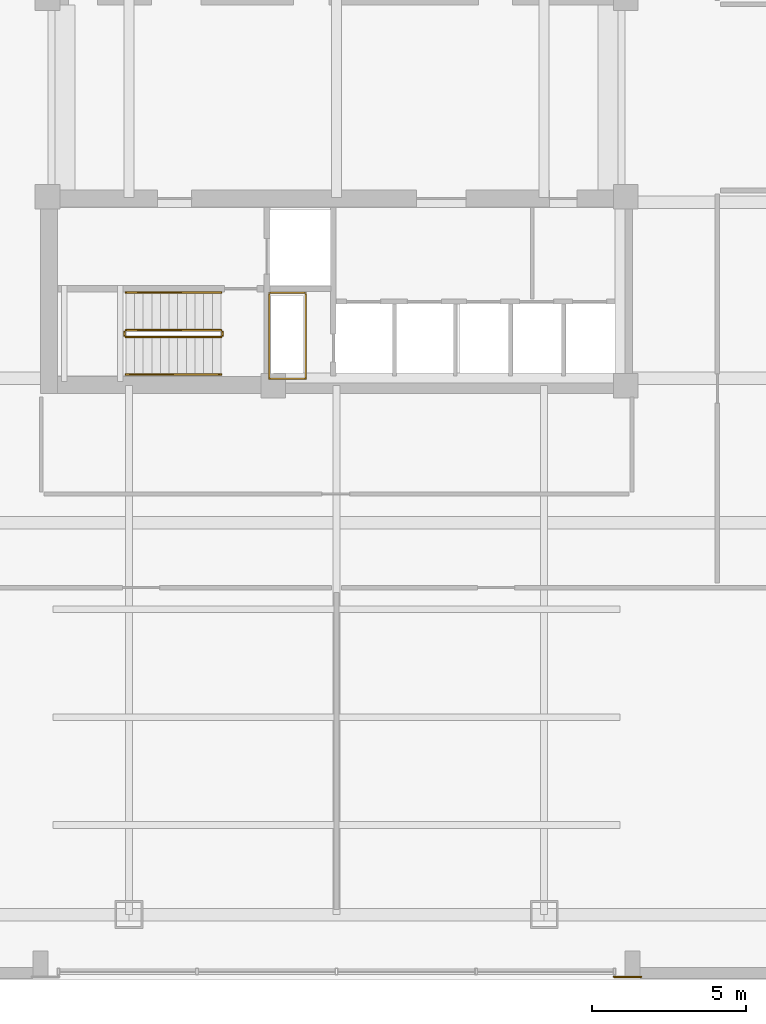
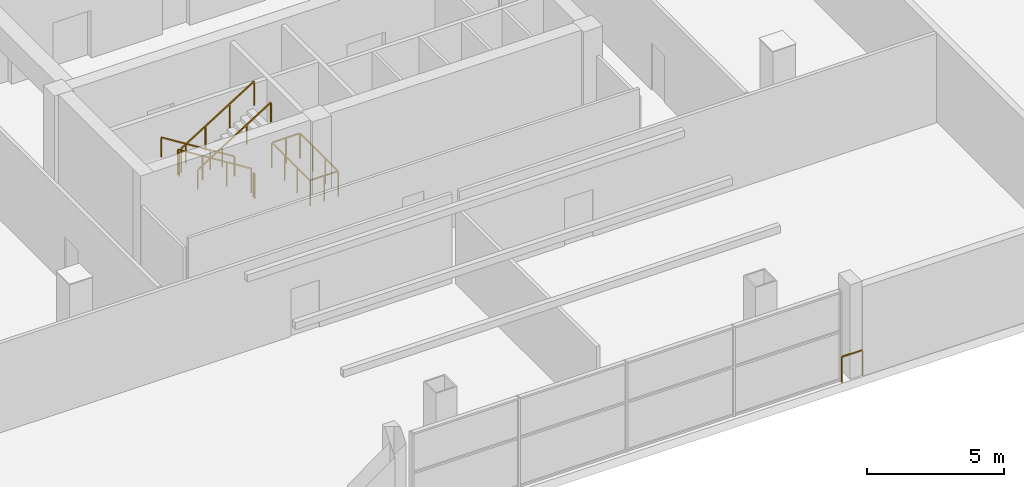
# One storey, part 18 of 21: 8 railings.
"""IFC4 building model written with IfcOpenShell, lengths in metres."""

from ifc_helpers import new_model, si_unit, direction, frame, origin, origin_2d, place, context, subcontext, project, spatial, rectangle, extrude, material, type_object, element, save


model = new_model("IFC4")

# Units and contexts
model_context = context("Model", 3, precision=1e-05, world=origin(), true_north=direction((0.0, 1.0)))
body_context = subcontext(model_context, "Body", "Model", "MODEL_VIEW")
ifc_project = project(units=[si_unit("LENGTHUNIT", "METRE"), si_unit("AREAUNIT", "SQUARE_METRE"), si_unit("VOLUMEUNIT", "CUBIC_METRE"), si_unit("PLANEANGLEUNIT", "RADIAN"), si_unit("MASSUNIT", "GRAM", prefix="KILO")], contexts=[model_context])

# Site, building, storey
site_placement = place(None, origin())
site = spatial("IfcSite", under=ifc_project, at=site_placement, CompositionType="ELEMENT")
building_placement = place(site_placement, origin())
building = spatial("IfcBuilding", under=site, at=building_placement, Name="Qhalaya Broadcast Tower", CompositionType="ELEMENT")
storey_placement = place(building_placement, frame((0.0, 0.0, 21.89990234375)))
storey = spatial("IfcBuildingStorey", under=building, at=storey_placement, Name="L05", CompositionType="ELEMENT", Elevation=21.89990234375)

# Railings
ifc_material = material(Name="Powder-Coated Galvanised Steel", Category="steel")
railing_type_1 = type_object("IfcRailingType", Name="Stair Wall Handrail 900", PredefinedType="HANDRAIL", material=ifc_material)
railing_1_placement = place(storey_placement, frame((-3.75, -5.72998046875, 0.175048828125)))
element("IfcRailing", 1, at=railing_1_placement, inside=storey, type_object=railing_type_1, Name="L05 ST-2 Stair Handrail 1", PredefinedType="HANDRAIL", context=body_context, shape_type="SweptSolid", body=[
    extrude(rectangle(XDim=0.048095703125, YDim=0.048095703125, at=origin_2d()), frame((0.0, 0.0, 0.8759765625), z_axis=(-0.847998304005, 0.0, 0.529998940003), x_axis=(0.0, -1.0, 0.0)), (0.0, 0.0, 1.0), 3.632080078125),
    extrude(rectangle(XDim=0.0419921875, YDim=0.0419921875, at=origin_2d()), origin(), (0.0, 0.0, 1.0), 0.849853515625),
    extrude(rectangle(XDim=0.0419921875, YDim=0.0419921875, at=origin_2d()), frame((-1.026611328125, 0.0, 0.6416015625)), (0.0, 0.0, 1.0), 0.849853515625),
    extrude(rectangle(XDim=0.0419921875, YDim=0.0419921875, at=origin_2d()), frame((-2.053466796875, 0.0, 1.283447265625)), (0.0, 0.0, 1.0), 0.849853515625),
    extrude(rectangle(XDim=0.0419921875, YDim=0.0419921875, at=origin_2d()), frame((-3.080078125, 0.0, 1.925048828125)), (0.0, 0.0, 1.0), 0.849853515625),
])
railing_2_placement = place(storey_placement, frame((-6.830078125, -8.389892578125, 2.275146484375)))
element("IfcRailing", 2, at=railing_2_placement, inside=storey, type_object=railing_type_1, Name="L05 ST-2 Stair Handrail 2", PredefinedType="HANDRAIL", context=body_context, shape_type="SweptSolid", body=[
    extrude(rectangle(XDim=0.048095703125, YDim=0.048095703125, at=origin_2d()), frame((0.0, 0.0, 0.8759765625), z_axis=(0.847998304005, 0.0, 0.529998940003), x_axis=(0.0, 1.0, 0.0)), (0.0, 0.0, 1.0), 3.632080078125),
    extrude(rectangle(XDim=0.0419921875, YDim=0.0419921875, at=origin_2d()), origin(), (0.0, 0.0, 1.0), 0.849853515625),
    extrude(rectangle(XDim=0.0419921875, YDim=0.0419921875, at=origin_2d()), frame((1.026611328125, 0.0, 0.6416015625)), (0.0, 0.0, 1.0), 0.849853515625),
    extrude(rectangle(XDim=0.0419921875, YDim=0.0419921875, at=origin_2d()), frame((2.053466796875, 0.0, 1.283447265625)), (0.0, 0.0, 1.0), 0.849853515625),
    extrude(rectangle(XDim=0.0419921875, YDim=0.0419921875, at=origin_2d()), frame((3.080078125, 0.0, 1.925048828125)), (0.0, 0.0, 1.0), 0.849853515625),
])
railing_type_2 = type_object("IfcRailingType", Name="Stair Well & Landing Guardrail 1100", PredefinedType="GUARDRAIL", material=ifc_material)
railing_3_placement = place(storey_placement, frame((-1.0, -8.52001953125, 0.0)))
element("IfcRailing", 3, at=railing_3_placement, inside=storey, type_object=railing_type_2, Name="L05 Service Riser Opening Safety Guard SRSR", PredefinedType="GUARDRAIL", context=body_context, shape_type="SweptSolid", body=[
    extrude(rectangle(XDim=0.048095703125, YDim=0.048095703125, at=origin_2d()), frame((0.0, 0.02880859375, 1.1259765625), z_axis=(0.0, 1.0, 0.0), x_axis=(-1.0, 0.0, 0.0)), (0.0, 0.0, 1.0), 2.722412109375),
    extrude(rectangle(XDim=0.048095703125, YDim=0.048095703125, at=origin_2d()), frame((-0.02880859375, 2.780029296875, 1.1259765625), z_axis=(-1.0, 0.0, 0.0), x_axis=(0.0, -1.0, 0.0)), (0.0, 0.0, 1.0), 1.122314453125),
    extrude(rectangle(XDim=0.048095703125, YDim=0.048095703125, at=origin_2d()), frame((-1.179931640625, 2.751220703125, 1.1259765625), z_axis=(0.0, -1.0, 0.0), x_axis=(1.0, 0.0, 0.0)), (0.0, 0.0, 1.0), 2.722412109375),
    extrude(rectangle(XDim=0.048095703125, YDim=0.048095703125, at=origin_2d()), frame((-1.151123046875, 0.0, 1.1259765625), z_axis=(1.0, 0.0, 0.0), x_axis=(0.0, 1.0, 0.0)), (0.0, 0.0, 1.0), 1.122314453125),
    extrude(rectangle(XDim=0.0419921875, YDim=0.0419921875, at=origin_2d()), origin(), (0.0, 0.0, 1.0), 1.099853515625),
    extrude(rectangle(XDim=0.0419921875, YDim=0.0419921875, at=origin_2d()), frame((0.0, 0.9267578125, 0.0)), (0.0, 0.0, 1.0), 1.099853515625),
    extrude(rectangle(XDim=0.0419921875, YDim=0.0419921875, at=origin_2d()), frame((0.0, 1.853271484375, 0.0)), (0.0, 0.0, 1.0), 1.099853515625),
    extrude(rectangle(XDim=0.0419921875, YDim=0.0419921875, at=origin_2d()), frame((0.0, 2.780029296875, 0.0)), (0.0, 0.0, 1.0), 1.099853515625),
    extrude(rectangle(XDim=0.0419921875, YDim=0.0419921875, at=origin_2d()), frame((-0.58984375, 2.780029296875, 0.0)), (0.0, 0.0, 1.0), 1.099853515625),
    extrude(rectangle(XDim=0.0419921875, YDim=0.0419921875, at=origin_2d()), frame((-1.179931640625, 2.780029296875, 0.0)), (0.0, 0.0, 1.0), 1.099853515625),
    extrude(rectangle(XDim=0.0419921875, YDim=0.0419921875, at=origin_2d()), frame((-1.179931640625, 1.853271484375, 0.0)), (0.0, 0.0, 1.0), 1.099853515625),
    extrude(rectangle(XDim=0.0419921875, YDim=0.0419921875, at=origin_2d()), frame((-1.179931640625, 0.9267578125, 0.0)), (0.0, 0.0, 1.0), 1.099853515625),
    extrude(rectangle(XDim=0.0419921875, YDim=0.0419921875, at=origin_2d()), frame((-1.179931640625, 0.0, 0.0)), (0.0, 0.0, 1.0), 1.099853515625),
    extrude(rectangle(XDim=0.0419921875, YDim=0.0419921875, at=origin_2d()), frame((-0.58984375, 0.0, 0.0)), (0.0, 0.0, 1.0), 1.099853515625),
])
railing_4_placement = place(storey_placement, frame((-3.75, -6.949951171875, 0.175048828125)))
element("IfcRailing", 4, at=railing_4_placement, inside=storey, type_object=railing_type_2, Name="L05 ST-2 Stair Guard 1", PredefinedType="GUARDRAIL", context=body_context, shape_type="SweptSolid", body=[
    extrude(rectangle(XDim=0.048095703125, YDim=0.048095703125, at=origin_2d()), frame((0.0, 0.0, 1.076171875), z_axis=(-0.847998304005, 0.0, 0.529998940003), x_axis=(0.0, -1.0, 0.0)), (0.0, 0.0, 1.0), 3.632080078125),
    extrude(rectangle(XDim=0.0419921875, YDim=0.0419921875, at=origin_2d()), origin(), (0.0, 0.0, 1.0), 1.050048828125),
    extrude(rectangle(XDim=0.0419921875, YDim=0.0419921875, at=origin_2d()), frame((-1.026611328125, 0.0, 0.6416015625)), (0.0, 0.0, 1.0), 1.050048828125),
    extrude(rectangle(XDim=0.0419921875, YDim=0.0419921875, at=origin_2d()), frame((-2.053466796875, 0.0, 1.283447265625)), (0.0, 0.0, 1.0), 1.050048828125),
    extrude(rectangle(XDim=0.0419921875, YDim=0.0419921875, at=origin_2d()), frame((-3.080078125, 0.0, 1.925048828125)), (0.0, 0.0, 1.0), 1.050048828125),
])
railing_5_placement = place(storey_placement, frame((-6.8798828125, -7.0, 2.10009765625)))
element("IfcRailing", 5, at=railing_5_placement, inside=storey, type_object=railing_type_2, Name="L05 ST-2 Stair Guard 2", PredefinedType="GUARDRAIL", context=body_context, shape_type="SweptSolid", body=[
    extrude(rectangle(XDim=0.048095703125, YDim=0.048095703125, at=origin_2d()), frame((0.0, 0.0, 1.076171875), z_axis=(0.0, -1.0, 0.0), x_axis=(1.0, 0.0, 0.0)), (0.0, 0.0, 1.0), 0.1201171875),
    extrude(rectangle(XDim=0.0419921875, YDim=0.0419921875, at=origin_2d()), origin(), (0.0, 0.0, 1.0), 1.050048828125),
    extrude(rectangle(XDim=0.0419921875, YDim=0.0419921875, at=origin_2d()), frame((0.0, -0.1201171875, 0.0)), (0.0, 0.0, 1.0), 1.050048828125),
])
railing_6_placement = place(storey_placement, frame((-6.830078125, -7.169921875, 2.275146484375)))
element("IfcRailing", 6, at=railing_6_placement, inside=storey, type_object=railing_type_2, Name="L05 ST-2 Stair Guard 3", PredefinedType="GUARDRAIL", context=body_context, shape_type="SweptSolid", body=[
    extrude(rectangle(XDim=0.048095703125, YDim=0.048095703125, at=origin_2d()), frame((0.0, 0.0, 1.076171875), z_axis=(0.847998304005, 0.0, 0.529998940003), x_axis=(0.0, 1.0, 0.0)), (0.0, 0.0, 1.0), 3.632080078125),
    extrude(rectangle(XDim=0.0419921875, YDim=0.0419921875, at=origin_2d()), origin(), (0.0, 0.0, 1.0), 1.050048828125),
    extrude(rectangle(XDim=0.0419921875, YDim=0.0419921875, at=origin_2d()), frame((1.026611328125, 0.0, 0.6416015625)), (0.0, 0.0, 1.0), 1.050048828125),
    extrude(rectangle(XDim=0.0419921875, YDim=0.0419921875, at=origin_2d()), frame((2.053466796875, 0.0, 1.283447265625)), (0.0, 0.0, 1.0), 1.050048828125),
    extrude(rectangle(XDim=0.0419921875, YDim=0.0419921875, at=origin_2d()), frame((3.080078125, 0.0, 1.925048828125)), (0.0, 0.0, 1.0), 1.050048828125),
])
railing_7_placement = place(storey_placement, frame((-3.699951171875, -7.0, 0.0)))
element("IfcRailing", 7, at=railing_7_placement, inside=storey, type_object=railing_type_2, Name="L05 ST-2 Stair Guard 4", PredefinedType="GUARDRAIL", context=body_context, shape_type="SweptSolid", body=[
    extrude(rectangle(XDim=0.048095703125, YDim=0.048095703125, at=origin_2d()), frame((0.0, 0.0, 1.076171875), z_axis=(0.0, -1.0, 0.0), x_axis=(1.0, 0.0, 0.0)), (0.0, 0.0, 1.0), 0.1201171875),
    extrude(rectangle(XDim=0.0419921875, YDim=0.0419921875, at=origin_2d()), origin(), (0.0, 0.0, 1.0), 1.050048828125),
    extrude(rectangle(XDim=0.0419921875, YDim=0.0419921875, at=origin_2d()), frame((0.0, -0.1201171875, 0.0)), (0.0, 0.0, 1.0), 1.050048828125),
])
railing_type_3 = type_object("IfcRailingType", Name="Terrace, Sky-Pool & Lookout Glass Balustrade 1150", PredefinedType="BALUSTRADE", material=ifc_material)
railing_8_placement = place(storey_placement, frame((9.0, -27.919921875, 0.0)))
element("IfcRailing", 8, at=railing_8_placement, inside=storey, type_object=railing_type_3, Name="L05 Concourse Portal Shoulder Safety Balustrade PSE", PredefinedType="BALUSTRADE", context=body_context, shape_type="SweptSolid", body=[
    extrude(rectangle(XDim=0.048095703125, YDim=0.048095703125, at=origin_2d()), frame((0.0, 0.0, 1.1259765625), z_axis=(1.0, 0.0, 0.0), x_axis=(0.0, 1.0, 0.0)), (0.0, 0.0, 1.0), 0.8798828125),
    extrude(rectangle(XDim=0.0419921875, YDim=0.0419921875, at=origin_2d()), origin(), (0.0, 0.0, 1.0), 1.099853515625),
    extrude(rectangle(XDim=0.0419921875, YDim=0.0419921875, at=origin_2d()), frame((0.8798828125, 0.0, 0.0)), (0.0, 0.0, 1.0), 1.099853515625),
])

save(model, "model.ifc")
